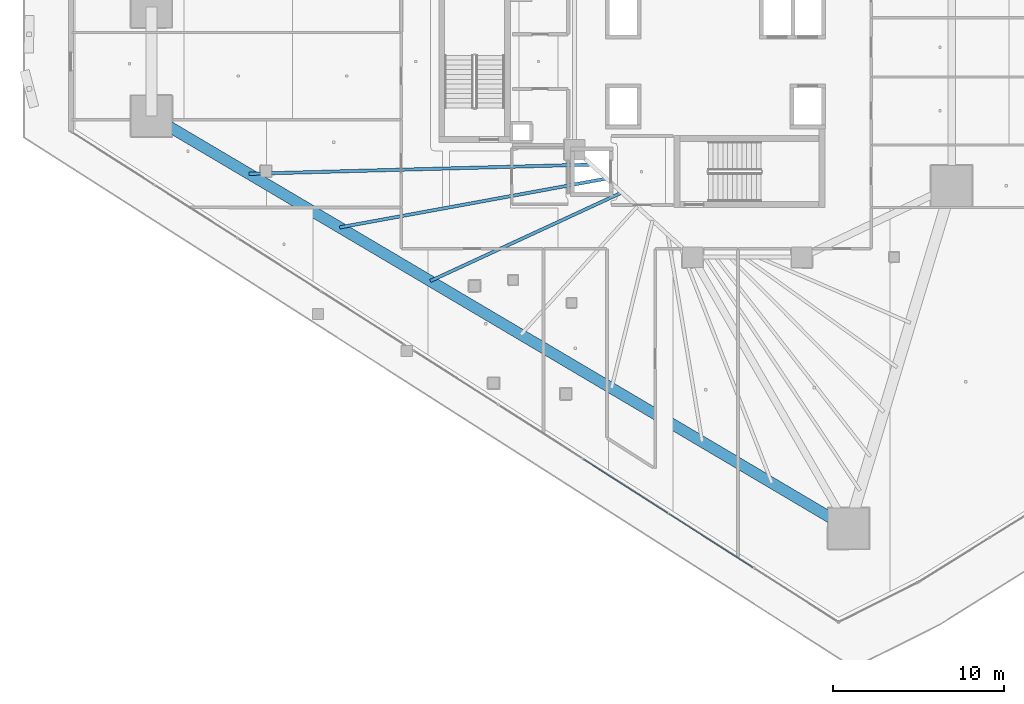
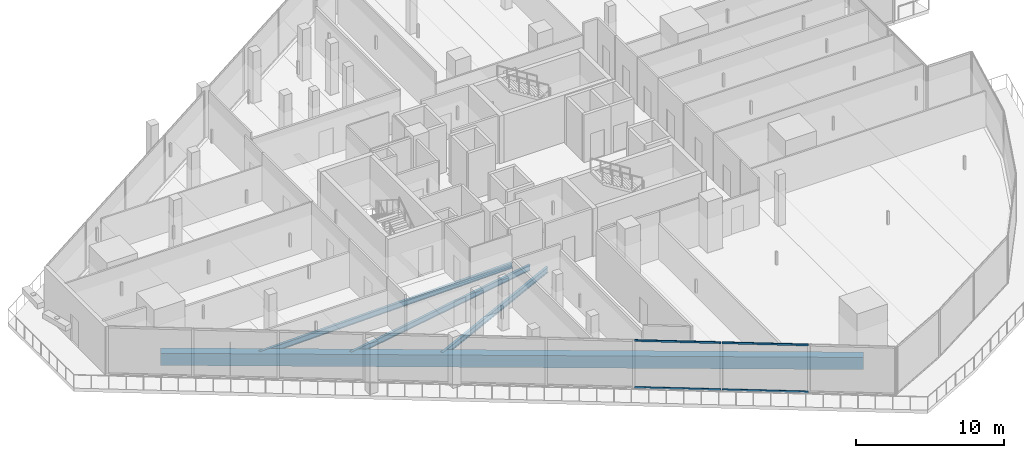
# One storey, part 6 of 44: 4 beams, 4 members, 1 element without a shape of its own.
"""IFC4 building model written with IfcOpenShell, lengths in metres."""

from ifc_helpers import new_model, si_unit, direction, frame, origin, origin_2d, place, context, subcontext, project, spatial, rectangle, hollow_rectangle, i_section, extrude, material, layer, layer_set, material_profile, profile_set, type_object, element, aggregate, save


model = new_model("IFC4")

# Units and contexts
model_context = context("Model", 3, precision=1e-05, world=origin(), true_north=direction((0.0, 1.0)))
body_context = subcontext(model_context, "Body", "Model", "MODEL_VIEW")
ifc_project = project(units=[si_unit("LENGTHUNIT", "METRE"), si_unit("AREAUNIT", "SQUARE_METRE"), si_unit("VOLUMEUNIT", "CUBIC_METRE"), si_unit("PLANEANGLEUNIT", "RADIAN"), si_unit("MASSUNIT", "GRAM", prefix="KILO")], contexts=[model_context])

# Site, building, storey
site_placement = place(None, origin())
site = spatial("IfcSite", under=ifc_project, at=site_placement, CompositionType="ELEMENT")
building_placement = place(site_placement, origin())
building = spatial("IfcBuilding", under=site, at=building_placement, Name="Qorvath Tower", CompositionType="ELEMENT")
storey_placement = place(building_placement, frame((0.0, 0.0, 57.60009765625)))
storey = spatial("IfcBuildingStorey", under=building, at=storey_placement, Name="L12", CompositionType="ELEMENT", Elevation=57.60009765625)

# Beams
ifc_material_1 = material(Name="Steel ASTM A992 Grade 50", Category="steel")
ifc_material_profile_1 = material_profile(ifc_material_1, i_section(OverallWidth=0.18994140625, OverallDepth=0.45703125, WebThickness=0.009033203125, FlangeThickness=0.014404296875, FilletRadius=0.011962890625, at=origin_2d()), Name="W18x50")
ifc_profile_set_1 = profile_set([ifc_material_profile_1], Name="Steel ASTM A992 Grade 50")
beam_type_1 = type_object("IfcBeamType", Name="BM-FJ2", PredefinedType="JOIST", material=ifc_profile_set_1)
beam_1_placement = place(storey_placement, frame((-29.533935546875, -6.031982421875, -0.508544921875), z_axis=(-0.999634925413, -0.02701880631, 0.0), x_axis=(0.02701880631, -0.999634925413, 0.0)))
element("IfcBeam", 1, at=beam_1_placement, inside=storey, type_object=beam_type_1, Name="Composite Floor Joist SW1 L12", PredefinedType="JOIST", context=body_context, shape_type="SweptSolid", body=[
    extrude(i_section(OverallWidth=0.18994140625, OverallDepth=0.45703125, WebThickness=0.009033203125, FlangeThickness=0.014404296875, FilletRadius=0.011962890625, at=origin_2d()), origin(), (0.0, 0.0, 1.0), 20.041748046875),
])
beam_2_placement = place(storey_placement, frame((-28.636962890625, -6.85107421875, -0.508544921875), z_axis=(-0.983656498786, -0.180055248176, 0.0), x_axis=(0.180055248176, -0.983656498786, 0.0)))
element("IfcBeam", 2, at=beam_2_placement, inside=storey, type_object=beam_type_1, Name="Composite Floor Joist SW2 L12", PredefinedType="JOIST", context=body_context, shape_type="SweptSolid", body=[
    extrude(i_section(OverallWidth=0.18994140625, OverallDepth=0.45703125, WebThickness=0.009033203125, FlangeThickness=0.014404296875, FilletRadius=0.011962890625, at=origin_2d()), origin(), (0.0, 0.0, 1.0), 15.884521484375),
])
beam_3_placement = place(storey_placement, frame((-27.739990234375, -7.669921875, -0.508544921875), z_axis=(-0.907881281747, -0.419227358665, 0.0), x_axis=(0.419227358665, -0.907881281747, 0.0)))
element("IfcBeam", 3, at=beam_3_placement, inside=storey, type_object=beam_type_1, Name="Composite Floor Joist SW3 L12", PredefinedType="JOIST", context=body_context, shape_type="SweptSolid", body=[
    extrude(i_section(OverallWidth=0.18994140625, OverallDepth=0.45703125, WebThickness=0.009033203125, FlangeThickness=0.014404296875, FilletRadius=0.011962890625, at=origin_2d()), origin(), (0.0, 0.0, 1.0), 12.353515625),
])
ifc_material_2 = material(Name="Concrete C50/60", Category="concrete")
ifc_material_profile_2 = material_profile(ifc_material_2, rectangle(XDim=0.64990234375, YDim=1.0, at=origin_2d()), Name="RCB 1000x650")
ifc_profile_set_2 = profile_set([ifc_material_profile_2], Name="Concrete C50/60")
beam_type_2 = type_object("IfcBeamType", Name="BM-RCB1", PredefinedType="SPANDREL", material=ifc_profile_set_2)
beam_4_placement = place(storey_placement, frame((-55.282958984375, -3.194580078125, -0.780029296875), z_axis=(0.860777360917, -0.508981664633, 0.0), x_axis=(0.508981664633, 0.860777360917, 0.0)))
element("IfcBeam", 4, at=beam_4_placement, inside=storey, type_object=beam_type_2, Name="Perimeter Loggia Frame Beam MC2-MC3 L12", PredefinedType="SPANDREL", context=body_context, shape_type="SweptSolid", body=[
    extrude(rectangle(XDim=0.64990234375, YDim=1.0, at=origin_2d()), origin(), (0.0, 0.0, 1.0), 47.420654296875),
])

# Curtain wall, members
ifc_material_3 = material(Name="Anodised aluminium and triple low-E glass", Category="aluminium")
ifc_layer = layer(ifc_material_3, 0.179931640625)
ifc_layer_set = layer_set([ifc_layer], Name="CW-SYS-2")
curtain_wall_type = type_object("IfcCurtainWallType", Name="CW-SYS-2", PredefinedType="NOTDEFINED", material=ifc_layer_set)
curtain_wall_placement = place(storey_placement, origin())
curtain_wall = element("IfcCurtainWall", 5, at=curtain_wall_placement, inside=storey, type_object=curtain_wall_type, Name="Curtain Wall CW-2 CW-T-L12-2.2", PredefinedType="NOTDEFINED")
ifc_material_4 = material(Name="Anodised aluminium 6063-T6", Category="aluminium")
ifc_material_profile_3 = material_profile(ifc_material_4, hollow_rectangle(XDim=0.06494140625, YDim=0.159912109375, WallThickness=0.00341796875, InnerFilletRadius=0.00341796875, OuterFilletRadius=0.007080078125, at=origin_2d()), Name="CWT 160x65")
ifc_profile_set_3 = profile_set([ifc_material_profile_3], Name="Anodised aluminium 6063-T6")
member_type = type_object("IfcMemberType", Name="CWT-160", PredefinedType="USERDEFINED", material=ifc_profile_set_3)
member_1_placement = place(storey_placement, frame((-29.973388671875, -23.29296875, 0.032470703125), z_axis=(0.842610992455, -0.538522715765, 0.0), x_axis=(0.538522715765, 0.842610992455, 0.0)))
member_1 = element("IfcMember", 6, at=member_1_placement, type_object=member_type, Name="CW-2 transom 3.1", ObjectType="TRANSOM", PredefinedType="USERDEFINED", context=body_context, shape_type="SweptSolid", body=[
    extrude(hollow_rectangle(XDim=0.06494140625, YDim=0.159912109375, WallThickness=0.00341796875, InnerFilletRadius=0.00341796875, OuterFilletRadius=0.007080078125, at=origin_2d()), origin(), (0.0, 0.0, 1.0), 5.846435546875),
])
member_2_placement = place(storey_placement, frame((-29.973388671875, -23.29296875, 3.887451171875), z_axis=(0.842610992455, -0.538522715765, 0.0), x_axis=(0.538522715765, 0.842610992455, 0.0)))
member_2 = element("IfcMember", 7, at=member_2_placement, type_object=member_type, Name="CW-2 transom 3.2", ObjectType="TRANSOM", PredefinedType="USERDEFINED", context=body_context, shape_type="SweptSolid", body=[
    extrude(hollow_rectangle(XDim=0.06494140625, YDim=0.159912109375, WallThickness=0.00341796875, InnerFilletRadius=0.00341796875, OuterFilletRadius=0.007080078125, at=origin_2d()), origin(), (0.0, 0.0, 1.0), 5.846435546875),
])
member_3_placement = place(storey_placement, frame((-24.992431640625, -26.4765625, 0.032470703125), z_axis=(0.842598881455, -0.538541665027, 0.0), x_axis=(0.538541665027, 0.842598881455, 0.0)))
member_3 = element("IfcMember", 8, at=member_3_placement, type_object=member_type, Name="CW-2 transom 4.1", ObjectType="TRANSOM", PredefinedType="USERDEFINED", context=body_context, shape_type="SweptSolid", body=[
    extrude(hollow_rectangle(XDim=0.06494140625, YDim=0.159912109375, WallThickness=0.00341796875, InnerFilletRadius=0.00341796875, OuterFilletRadius=0.007080078125, at=origin_2d()), origin(), (0.0, 0.0, 1.0), 5.84619140625),
])
member_4_placement = place(storey_placement, frame((-24.992431640625, -26.4765625, 3.887451171875), z_axis=(0.842598881455, -0.538541665027, 0.0), x_axis=(0.538541665027, 0.842598881455, 0.0)))
member_4 = element("IfcMember", 9, at=member_4_placement, type_object=member_type, Name="CW-2 transom 4.2", ObjectType="TRANSOM", PredefinedType="USERDEFINED", context=body_context, shape_type="SweptSolid", body=[
    extrude(hollow_rectangle(XDim=0.06494140625, YDim=0.159912109375, WallThickness=0.00341796875, InnerFilletRadius=0.00341796875, OuterFilletRadius=0.007080078125, at=origin_2d()), origin(), (0.0, 0.0, 1.0), 5.84619140625),
])
aggregate(curtain_wall, [member_1, member_2, member_3, member_4])

save(model, "model.ifc")
